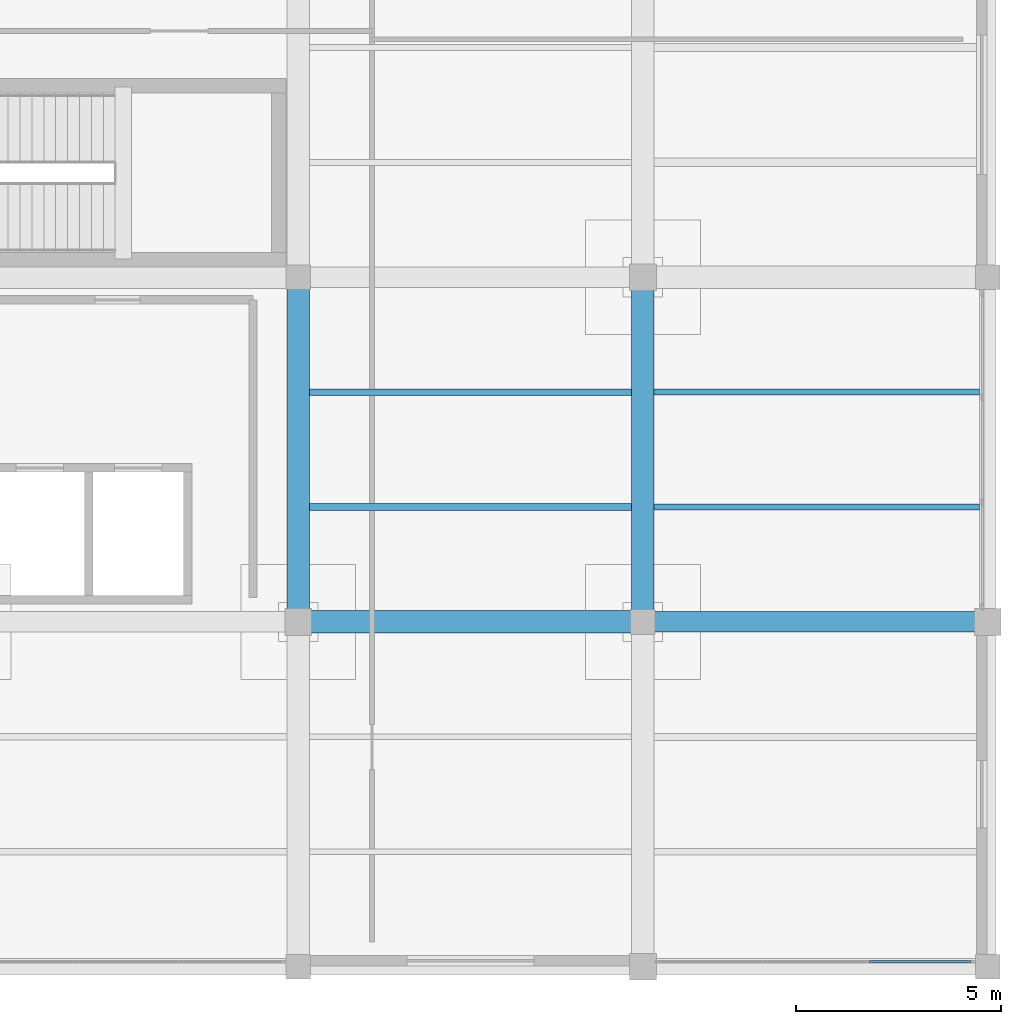
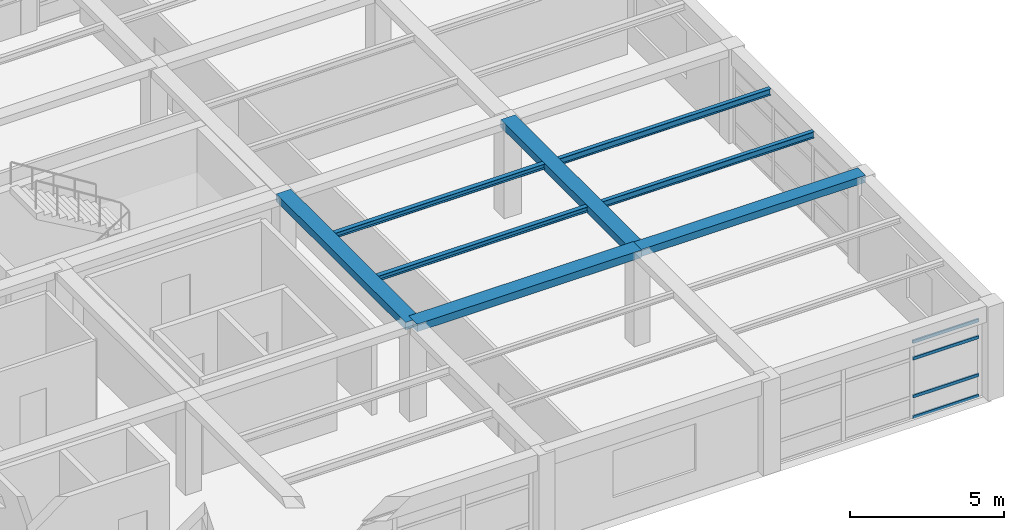
# One storey, part 11 of 26: 8 beams, 4 members, 1 element without a shape of its own.
"""IFC4 building model written with IfcOpenShell, lengths in metres."""

from ifc_helpers import new_model, si_unit, direction, frame, origin, origin_2d, place, context, subcontext, project, spatial, rectangle, hollow_rectangle, i_section, extrude, material, material_profile, profile_set, type_object, element, aggregate, save


model = new_model("IFC4")

# Units and contexts
model_context = context("Model", 3, precision=1e-05, world=origin(), true_north=direction((0.0, 1.0)))
body_context = subcontext(model_context, "Body", "Model", "MODEL_VIEW")
ifc_project = project(units=[si_unit("LENGTHUNIT", "METRE"), si_unit("AREAUNIT", "SQUARE_METRE"), si_unit("VOLUMEUNIT", "CUBIC_METRE"), si_unit("PLANEANGLEUNIT", "RADIAN"), si_unit("MASSUNIT", "GRAM", prefix="KILO")], contexts=[model_context])

# Site, building, storey
site_placement = place(None, origin())
site = spatial("IfcSite", under=ifc_project, at=site_placement, CompositionType="ELEMENT")
building_placement = place(site_placement, origin())
building = spatial("IfcBuilding", under=site, at=building_placement, Name="Almacenes y Pasaje Nevantli", CompositionType="ELEMENT")
storey_placement = place(building_placement, frame((0.0, 0.0, 42.699951171875)))
storey = spatial("IfcBuildingStorey", under=building, at=storey_placement, Name="L10", CompositionType="ELEMENT", Elevation=42.699951171875)

# Beams
ifc_material_1 = material(Name="Concrete C35/45", Category="concrete")
ifc_material_profile_1 = material_profile(ifc_material_1, rectangle(XDim=0.5, YDim=0.280029296875, at=origin_2d()), Name="RC-BM-500x280")
ifc_profile_set_1 = profile_set([ifc_material_profile_1], Name="Concrete C35/45")
beam_type_1 = type_object("IfcBeamType", Name="BM-RC-500x280", PredefinedType="BEAM", material=ifc_profile_set_1)
beam_placement = place(storey_placement, frame((151.199951171875, 75.60009765625, 3.580078125), z_axis=(1.0, 0.0, 0.0), x_axis=(0.0, 1.0, 0.0)))
element("IfcBeam", 1, at=beam_placement, inside=storey, type_object=beam_type_1, Name="L10 East-West Reinforced Concrete Beam #3806", PredefinedType="BEAM", context=body_context, shape_type="SweptSolid", body=[
    extrude(rectangle(XDim=0.5, YDim=0.280029296875, at=origin_2d()), origin(), (0.0, 0.0, 1.0), 8.400146484375),
])
ifc_material_2 = material(Name="Concrete C35/45", Category="concrete")
ifc_material_profile_2 = material_profile(ifc_material_2, rectangle(XDim=0.550048828125, YDim=0.300048828125, at=origin_2d()), Name="RC-BM-550x300")
ifc_profile_set_2 = profile_set([ifc_material_profile_2], Name="Concrete C35/45")
beam_type_2 = type_object("IfcBeamType", Name="BM-RC-550x300", PredefinedType="BEAM", material=ifc_profile_set_2)
for number, where, z_axis, x_axis, name in (
    (2, (142.800048828125, 75.60009765625, 3.570068359375), (1.0, 0.0, 0.0), (0.0, 1.0, 0.0), "L10 East-West Reinforced Concrete Beam #3805"),
    (3, (142.800048828125, 75.60009765625, 3.570068359375), (0.0, 1.0, 0.0), (-1.0, 0.0, 0.0), "L10 North-South Reinforced Concrete Beam #3833"),
    (4, (151.199951171875, 75.60009765625, 3.570068359375), (0.0, 1.0, 0.0), (-1.0, 0.0, 0.0), "L10 North-South Reinforced Concrete Beam #3837"),
):
    element("IfcBeam", number, at=place(storey_placement, frame(where, z_axis=z_axis, x_axis=x_axis)), inside=storey, type_object=beam_type_2, Name=name, PredefinedType="BEAM", context=body_context, shape_type="SweptSolid", body=[
        extrude(rectangle(XDim=0.550048828125, YDim=0.300048828125, at=origin_2d()), origin(), (0.0, 0.0, 1.0), 8.39990234375),
    ])
ifc_material_3 = material(Name="Steel ASTM A992", Category="steel")
ifc_material_profile_3 = material_profile(ifc_material_3, i_section(OverallWidth=0.166015625, OverallDepth=0.205078125, WebThickness=0.007080078125, FlangeThickness=0.01171875, at=origin_2d()), Name="IR 203x41.7")
ifc_profile_set_3 = profile_set([ifc_material_profile_3], Name="Steel ASTM A992")
beam_type_3 = type_object("IfcBeamType", Name="BM-STL-IR-203x41p7", PredefinedType="JOIST", material=ifc_profile_set_3)
for number, where, z_axis, x_axis, name in (
    (5, (143.074951171875, 78.39990234375, 3.609619140625), (1.0, 0.0, 0.0), (0.0, 1.0, 0.0), "L10 Secondary Steel Floor Joist #1501"),
    (6, (143.074951171875, 81.199951171875, 3.609619140625), (1.0, 0.0, 0.0), (0.0, 1.0, 0.0), "L10 Secondary Steel Floor Joist #1502"),
):
    element("IfcBeam", number, at=place(storey_placement, frame(where, z_axis=z_axis, x_axis=x_axis)), inside=storey, type_object=beam_type_3, Name=name, PredefinedType="JOIST", context=body_context, shape_type="SweptSolid", body=[
        extrude(i_section(OverallWidth=0.166015625, OverallDepth=0.205078125, WebThickness=0.007080078125, FlangeThickness=0.01171875, at=origin_2d()), origin(), (0.0, 0.0, 1.0), 7.85009765625),
    ])
ifc_material_4 = material(Name="Steel ASTM A992", Category="steel")
ifc_material_profile_4 = material_profile(ifc_material_4, i_section(OverallWidth=0.14697265625, OverallDepth=0.257080078125, WebThickness=0.006591796875, FlangeThickness=0.01123046875, at=origin_2d()), Name="IR 254x38.7")
ifc_profile_set_4 = profile_set([ifc_material_profile_4], Name="Steel ASTM A992")
beam_type_4 = type_object("IfcBeamType", Name="BM-STL-IR-254x38p7", PredefinedType="JOIST", material=ifc_profile_set_4)
for number, where, z_axis, x_axis, name in (
    (7, (151.47509765625, 78.39990234375, 3.58349609375), (1.0, 0.0, 0.0), (0.0, 1.0, 0.0), "L10 Secondary Steel Floor Joist #1509"),
    (8, (151.47509765625, 81.199951171875, 3.58349609375), (1.0, 0.0, 0.0), (0.0, 1.0, 0.0), "L10 Secondary Steel Floor Joist #1510"),
):
    element("IfcBeam", number, at=place(storey_placement, frame(where, z_axis=z_axis, x_axis=x_axis)), inside=storey, type_object=beam_type_4, Name=name, PredefinedType="JOIST", context=body_context, shape_type="SweptSolid", body=[
        extrude(i_section(OverallWidth=0.14697265625, OverallDepth=0.257080078125, WebThickness=0.006591796875, FlangeThickness=0.01123046875, at=origin_2d()), origin(), (0.0, 0.0, 1.0), 7.9248046875),
    ])

# Curtain wall, members
ifc_material_5 = material(Name="Thermally Broken Aluminium and Low-E Glass", Category="aluminium")
curtain_wall_type = type_object("IfcCurtainWallType", Name="CW-UNIT-TOWER", PredefinedType="USERDEFINED", material=ifc_material_5)
curtain_wall_placement = place(storey_placement, origin())
curtain_wall = element("IfcCurtainWall", 9, at=curtain_wall_placement, inside=storey, type_object=curtain_wall_type, Name="L10 Tower South Unitized Curtain Wall Bay 19", ObjectType="UNITIZED CURTAIN WALL", PredefinedType="USERDEFINED")
ifc_material_6 = material(Name="Thermally Broken Anodized Aluminium", Category="aluminium")
ifc_material_profile_5 = material_profile(ifc_material_6, hollow_rectangle(XDim=0.06005859375, YDim=0.1201171875, WallThickness=0.00341796875, at=origin_2d()), Name="ALU-TRN-60x120")
ifc_profile_set_5 = profile_set([ifc_material_profile_5], Name="Thermally Broken Anodized Aluminium")
member_type = type_object("IfcMemberType", Name="CW-TRN-130", PredefinedType="USERDEFINED", material=ifc_profile_set_5)
member_1_placement = place(storey_placement, frame((156.71337890625, 67.320068359375, 0.030029296875), z_axis=(1.0, 0.0, 0.0), x_axis=(0.0, 1.0, 0.0)))
member_1 = element("IfcMember", 10, at=member_1_placement, type_object=member_type, Name="CW-L10-145 transom 3.1", ObjectType="TRANSOM", PredefinedType="USERDEFINED", context=body_context, shape_type="SweptSolid", body=[
    extrude(hollow_rectangle(XDim=0.06005859375, YDim=0.1201171875, WallThickness=0.00341796875, at=origin_2d()), origin(), (0.0, 0.0, 1.0), 2.4765625),
])
member_2_placement = place(storey_placement, frame((156.71337890625, 67.320068359375, 0.85009765625), z_axis=(1.0, 0.0, 0.0), x_axis=(0.0, 1.0, 0.0)))
member_2 = element("IfcMember", 11, at=member_2_placement, type_object=member_type, Name="CW-L10-145 transom 3.2", ObjectType="TRANSOM", PredefinedType="USERDEFINED", context=body_context, shape_type="SweptSolid", body=[
    extrude(hollow_rectangle(XDim=0.06005859375, YDim=0.1201171875, WallThickness=0.00341796875, at=origin_2d()), origin(), (0.0, 0.0, 1.0), 2.4765625),
])
member_3_placement = place(storey_placement, frame((156.71337890625, 67.320068359375, 2.35009765625), z_axis=(1.0, 0.0, 0.0), x_axis=(0.0, 1.0, 0.0)))
member_3 = element("IfcMember", 12, at=member_3_placement, type_object=member_type, Name="CW-L10-145 transom 3.3", ObjectType="TRANSOM", PredefinedType="USERDEFINED", context=body_context, shape_type="SweptSolid", body=[
    extrude(hollow_rectangle(XDim=0.06005859375, YDim=0.1201171875, WallThickness=0.00341796875, at=origin_2d()), origin(), (0.0, 0.0, 1.0), 2.4765625),
])
member_4_placement = place(storey_placement, frame((156.71337890625, 67.320068359375, 3.010009765625), z_axis=(1.0, 0.0, 0.0), x_axis=(0.0, 1.0, 0.0)))
member_4 = element("IfcMember", 13, at=member_4_placement, type_object=member_type, Name="CW-L10-145 transom 3.4", ObjectType="TRANSOM", PredefinedType="USERDEFINED", context=body_context, shape_type="SweptSolid", body=[
    extrude(hollow_rectangle(XDim=0.06005859375, YDim=0.1201171875, WallThickness=0.00341796875, at=origin_2d()), origin(), (0.0, 0.0, 1.0), 2.4765625),
])
aggregate(curtain_wall, [member_1, member_2, member_3, member_4])

save(model, "model.ifc")
